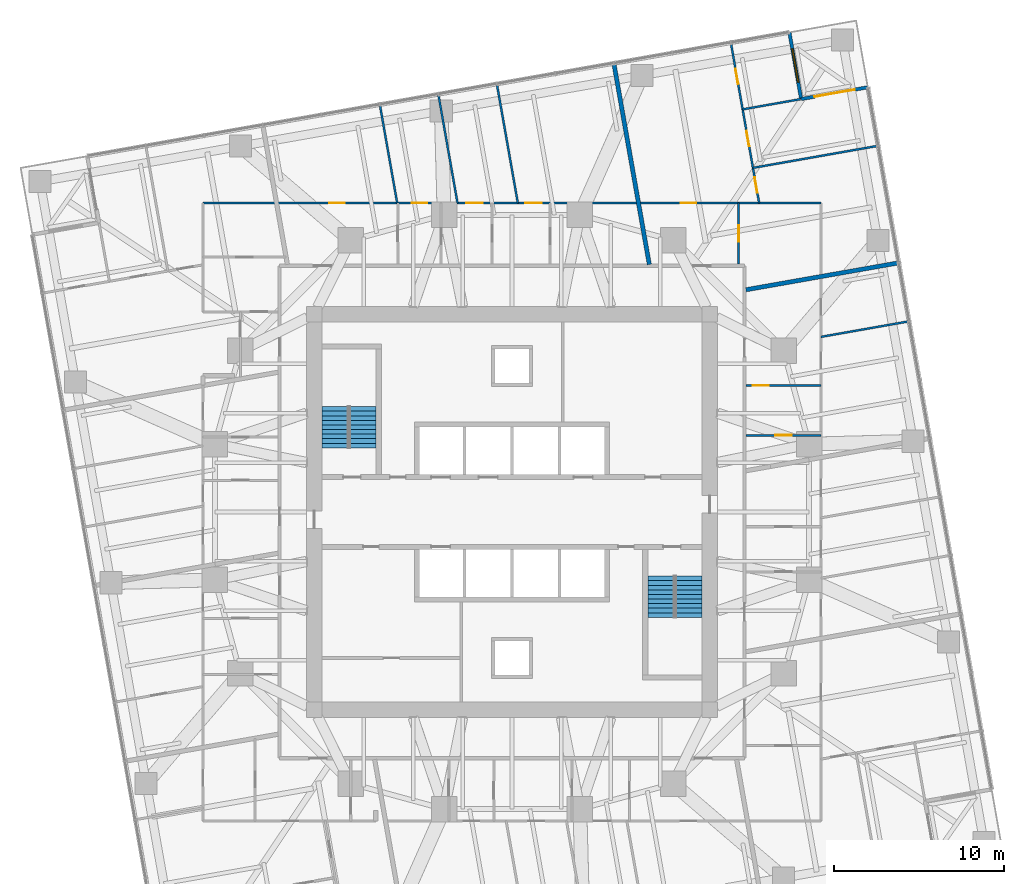
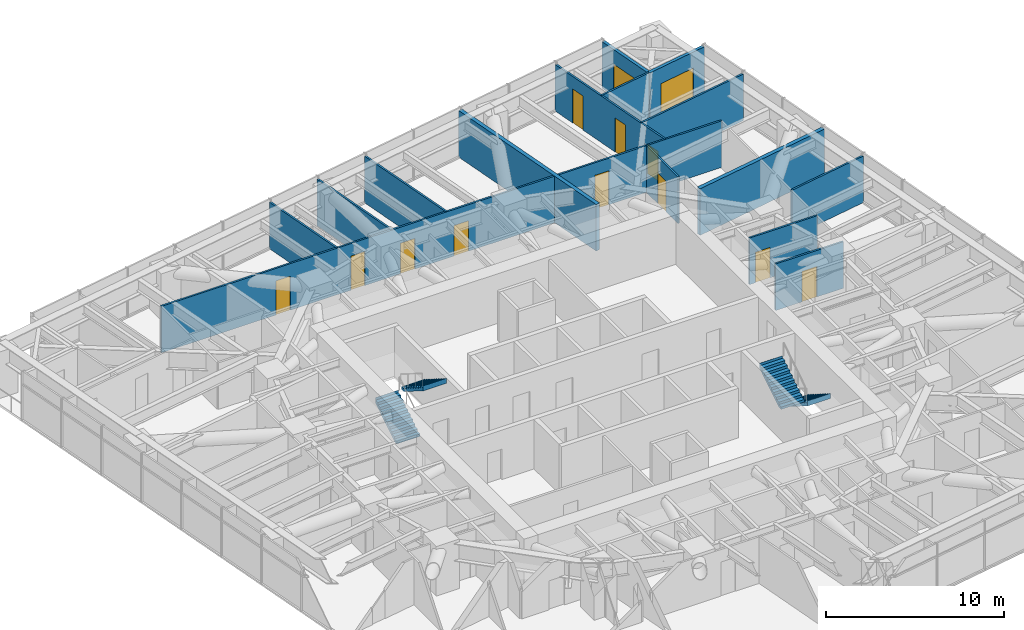
# One storey, part 15 of 17: 15 walls, 12 doors, 4 stair flights, 1 window, 13 openings, 2 elements without a shape of their own.
"""IFC4 building model written with IfcOpenShell, lengths in metres."""

from ifc_helpers import new_model, si_unit, direction, frame, frame_2d, origin, place, context, subcontext, project, spatial, polyline, rectangle, outline, extrude, material, layer, layer_set, type_object, element, fill, aggregate, save


model = new_model("IFC4")

# Units and contexts
model_context = context("Model", 3, precision=1e-05, world=origin(), true_north=direction((0.0, 1.0)))
body_context = subcontext(model_context, "Body", "Model", "MODEL_VIEW")
ifc_project = project(units=[si_unit("LENGTHUNIT", "METRE"), si_unit("AREAUNIT", "SQUARE_METRE"), si_unit("VOLUMEUNIT", "CUBIC_METRE"), si_unit("PLANEANGLEUNIT", "RADIAN"), si_unit("MASSUNIT", "GRAM", prefix="KILO")], contexts=[model_context])

# Site, building, storey
site_placement = place(None, origin())
site = spatial("IfcSite", under=ifc_project, at=site_placement, CompositionType="ELEMENT")
building_placement = place(site_placement, origin())
building = spatial("IfcBuilding", under=site, at=building_placement, Name="Torsade Residences", CompositionType="ELEMENT")
storey_placement = place(building_placement, frame((0.0, 0.0, 103.199951171875)))
storey = spatial("IfcBuildingStorey", under=building, at=storey_placement, Name="L28", CompositionType="ELEMENT", Elevation=103.199951171875)

# Wall, opening, door
ifc_material_1 = material(Name="Plasterboard on steel stud", Category="steel")
ifc_layer_1 = layer(ifc_material_1, 0.1201171875)
ifc_layer_set_1 = layer_set([ifc_layer_1], Name="Plasterboard on steel stud")
wall_type_1 = type_object("IfcWallType", Name="PARTITION 120", PredefinedType="PARTITIONING", material=ifc_layer_set_1)
wall_1_placement = place(storey_placement, frame((58.199951171875, 37.452392578125, 0.0), z_axis=(0.0, 0.0, 1.0), x_axis=(-1.0, 0.0, 0.0)))
wall_1 = element("IfcWall", 1, at=wall_1_placement, inside=storey, type_object=wall_type_1, Name="Partition L28", PredefinedType="PARTITIONING", context=body_context, shape_type="SweptSolid", body=[
    extrude(rectangle(XDim=4.39990234375, YDim=0.1201171875, at=frame_2d((2.199951171875, 0.0))), origin(), (0.0, 0.0, 1.0), 3.199951171875),
])
opening_1_placement = place(wall_1_placement, frame((3.070068359375, 0.0, 0.0)))
opening_1 = element("IfcOpeningElement", 2, at=opening_1_placement, cuts=wall_1, Name="Opening D05", PredefinedType="OPENING", context=body_context, shape_type="SweptSolid", body=[
    extrude(rectangle(XDim=0.9599609375, YDim=2.10009765625, at=frame_2d((0.47998046875, 1.050048828125))), frame((0.0, 0.070068359375, 0.0), z_axis=(0.0, -1.0, 0.0), x_axis=(1.0, 0.0, 0.0)), (0.0, 0.0, 1.0), 0.14013671875),
])
ifc_material_2 = material(Name="Hollow-core timber door in a steel cavity frame", Category="steel")
door_type_1 = type_object("IfcDoorType", Name="BATHROOM CAVITY SLIDING DOOR 960", OperationType="SLIDING_TO_LEFT", PredefinedType="DOOR", material=ifc_material_2)
door_1_placement = place(opening_1_placement, origin())
door_1 = element("IfcDoor", 3, at=door_1_placement, inside=storey, type_object=door_type_1, Name="Door Kitchen and dining to Bathroom", OperationType="SLIDING_TO_LEFT", OverallHeight=2.10009765625, OverallWidth=0.9599609375, PredefinedType="DOOR", context=body_context, shape_type="SweptSolid", body=[
    extrude(rectangle(XDim=0.9599609375, YDim=2.10009765625, at=frame_2d((0.47998046875, 1.050048828125))), frame((0.0, 0.02490234375, 0.0), z_axis=(0.0, -1.0, 0.0), x_axis=(1.0, 0.0, 0.0)), (0.0, 0.0, 1.0), 0.050048828125),
])
fill(opening_1, door_1)

wall_2_placement = place(storey_placement, frame((58.199951171875, 34.51171875, 0.0), z_axis=(0.0, 0.0, 1.0), x_axis=(-1.0, 0.0, 0.0)))
wall_2 = element("IfcWall", 4, at=wall_2_placement, inside=storey, type_object=wall_type_1, Name="Partition L28", PredefinedType="PARTITIONING", context=body_context, shape_type="SweptSolid", body=[
    extrude(rectangle(XDim=4.39990234375, YDim=0.1201171875, at=frame_2d((2.199951171875, 0.0))), origin(), (0.0, 0.0, 1.0), 3.199951171875),
])
opening_2_placement = place(wall_2_placement, frame((1.719970703125, 0.0, 0.0)))
opening_2 = element("IfcOpeningElement", 5, at=opening_2_placement, cuts=wall_2, Name="Opening D05", PredefinedType="OPENING", context=body_context, shape_type="SweptSolid", body=[
    extrude(rectangle(XDim=0.9599609375, YDim=2.10009765625, at=frame_2d((0.47998046875, 1.050048828125))), frame((0.0, 0.070068359375, 0.0), z_axis=(0.0, -1.0, 0.0), x_axis=(1.0, 0.0, 0.0)), (0.0, 0.0, 1.0), 0.14013671875),
])
door_2_placement = place(opening_2_placement, origin())
door_2 = element("IfcDoor", 6, at=door_2_placement, inside=storey, type_object=door_type_1, Name="Door Bathroom to Ensuite", OperationType="SLIDING_TO_LEFT", OverallHeight=2.10009765625, OverallWidth=0.9599609375, PredefinedType="DOOR", context=body_context, shape_type="SweptSolid", body=[
    extrude(rectangle(XDim=0.9599609375, YDim=2.10009765625, at=frame_2d((0.47998046875, 1.050048828125))), frame((0.0, 0.02490234375, 0.0), z_axis=(0.0, -1.0, 0.0), x_axis=(1.0, 0.0, 0.0)), (0.0, 0.0, 1.0), 0.050048828125),
])
fill(opening_2, door_2)

# Wall
wall_3_placement = place(storey_placement, frame((58.199951171875, 40.317138671875, 0.0), z_axis=(0.0, 0.0, 1.0), x_axis=(0.984812130229, 0.173623351409, 0.0)))
element("IfcWall", 7, at=wall_3_placement, inside=storey, type_object=wall_type_1, Name="Partition L28", PredefinedType="PARTITIONING", context=body_context, shape_type="SweptSolid", body=[
    extrude(rectangle(XDim=5.244873046875, YDim=0.1201171875, at=frame_2d((2.62255859375, 0.0))), origin(), (0.0, 0.0, 1.0), 3.199951171875),
])

# Wall, opening, door
wall_4_placement = place(storey_placement, frame((53.35498046875, 48.199951171875, 0.0), z_axis=(0.0, 0.0, 1.0), x_axis=(0.0, -1.0, 0.0)))
wall_4 = element("IfcWall", 8, at=wall_4_placement, inside=storey, type_object=wall_type_1, Name="Partition L28", PredefinedType="PARTITIONING", context=body_context, shape_type="SweptSolid", body=[
    extrude(rectangle(XDim=3.599853515625, YDim=0.1201171875, at=frame_2d((1.7998046875, 0.0))), origin(), (0.0, 0.0, 1.0), 3.199951171875),
])
opening_3_placement = place(wall_4_placement, frame((1.320068359375, 0.0, 0.0)))
opening_3 = element("IfcOpeningElement", 9, at=opening_3_placement, cuts=wall_4, Name="Opening D05", PredefinedType="OPENING", context=body_context, shape_type="SweptSolid", body=[
    extrude(rectangle(XDim=0.9599609375, YDim=2.10009765625, at=frame_2d((0.47998046875, 1.050048828125))), frame((0.0, 0.070068359375, 0.0), z_axis=(0.0, -1.0, 0.0), x_axis=(1.0, 0.0, 0.0)), (0.0, 0.0, 1.0), 0.14013671875),
])
door_3_placement = place(opening_3_placement, origin())
door_3 = element("IfcDoor", 10, at=door_3_placement, inside=storey, type_object=door_type_1, Name="Door Kitchen and dining to Bathroom", OperationType="SLIDING_TO_LEFT", OverallHeight=2.10009765625, OverallWidth=0.9599609375, PredefinedType="DOOR", context=body_context, shape_type="SweptSolid", body=[
    extrude(rectangle(XDim=0.9599609375, YDim=2.10009765625, at=frame_2d((0.47998046875, 1.050048828125))), frame((0.0, 0.02490234375, 0.0), z_axis=(0.0, -1.0, 0.0), x_axis=(1.0, 0.0, 0.0)), (0.0, 0.0, 1.0), 0.050048828125),
])
fill(opening_3, door_3)

# Wall, openings, doors
wall_5_placement = place(storey_placement, frame((21.800048828125, 48.199951171875, 0.0), z_axis=(0.0, 0.0, 1.0), x_axis=(1.0, 0.0, 0.0)))
wall_5 = element("IfcWall", 11, at=wall_5_placement, inside=storey, type_object=wall_type_1, Name="Partition L28", PredefinedType="PARTITIONING", context=body_context, shape_type="SweptSolid", body=[
    extrude(rectangle(XDim=36.39990234375, YDim=0.1201171875, at=frame_2d((18.199951171875, 0.0))), origin(), (0.0, 0.0, 1.0), 3.199951171875),
])
opening_4_placement = place(wall_5_placement, frame((7.441162109375, 0.0, 0.0)))
opening_4 = element("IfcOpeningElement", 12, at=opening_4_placement, cuts=wall_5, Name="Opening D02", PredefinedType="OPENING", context=body_context, shape_type="SweptSolid", body=[
    extrude(rectangle(XDim=0.919921875, YDim=2.340087890625, at=frame_2d((0.4599609375, 1.169921875))), frame((0.0, 0.070068359375, 0.0), z_axis=(0.0, -1.0, 0.0), x_axis=(1.0, 0.0, 0.0)), (0.0, 0.0, 1.0), 0.14013671875),
])
opening_5_placement = place(wall_5_placement, frame((28.14404296875, 0.0, 0.0)))
opening_5 = element("IfcOpeningElement", 13, at=opening_5_placement, cuts=wall_5, Name="Opening D02", PredefinedType="OPENING", context=body_context, shape_type="SweptSolid", body=[
    extrude(rectangle(XDim=0.919921875, YDim=2.340087890625, at=frame_2d((0.4599609375, 1.169921875))), frame((0.0, 0.070068359375, 0.0), z_axis=(0.0, -1.0, 0.0), x_axis=(1.0, 0.0, 0.0)), (0.0, 0.0, 1.0), 0.14013671875),
])
opening_6_placement = place(wall_5_placement, frame((12.290283203125, 0.0, 0.0)))
opening_6 = element("IfcOpeningElement", 14, at=opening_6_placement, cuts=wall_5, Name="Opening D02", PredefinedType="OPENING", context=body_context, shape_type="SweptSolid", body=[
    extrude(rectangle(XDim=0.919921875, YDim=2.340087890625, at=frame_2d((0.4599609375, 1.169921875))), frame((0.0, 0.070068359375, 0.0), z_axis=(0.0, -1.0, 0.0), x_axis=(1.0, 0.0, 0.0)), (0.0, 0.0, 1.0), 0.14013671875),
])
opening_7_placement = place(wall_5_placement, frame((15.50537109375, 0.0, 0.0)))
opening_7 = element("IfcOpeningElement", 15, at=opening_7_placement, cuts=wall_5, Name="Opening D05", PredefinedType="OPENING", context=body_context, shape_type="SweptSolid", body=[
    extrude(rectangle(XDim=0.9599609375, YDim=2.10009765625, at=frame_2d((0.47998046875, 1.050048828125))), frame((0.0, 0.070068359375, 0.0), z_axis=(0.0, -1.0, 0.0), x_axis=(1.0, 0.0, 0.0)), (0.0, 0.0, 1.0), 0.14013671875),
])
opening_8_placement = place(wall_5_placement, frame((18.990966796875, 0.0, 0.0)))
opening_8 = element("IfcOpeningElement", 16, at=opening_8_placement, cuts=wall_5, Name="Opening D05", PredefinedType="OPENING", context=body_context, shape_type="SweptSolid", body=[
    extrude(rectangle(XDim=0.9599609375, YDim=2.10009765625, at=frame_2d((0.47998046875, 1.050048828125))), frame((0.0, 0.070068359375, 0.0), z_axis=(0.0, -1.0, 0.0), x_axis=(1.0, 0.0, 0.0)), (0.0, 0.0, 1.0), 0.14013671875),
])
door_4_placement = place(opening_7_placement, origin())
door_4 = element("IfcDoor", 17, at=door_4_placement, inside=storey, type_object=door_type_1, Name="Door Laundry to Bedroom 2", OperationType="SLIDING_TO_LEFT", OverallHeight=2.10009765625, OverallWidth=0.9599609375, PredefinedType="DOOR", context=body_context, shape_type="SweptSolid", body=[
    extrude(rectangle(XDim=0.9599609375, YDim=2.10009765625, at=frame_2d((0.47998046875, 1.050048828125))), frame((0.0, 0.02490234375, 0.0), z_axis=(0.0, -1.0, 0.0), x_axis=(1.0, 0.0, 0.0)), (0.0, 0.0, 1.0), 0.050048828125),
])
fill(opening_7, door_4)
door_5_placement = place(opening_8_placement, origin())
door_5 = element("IfcDoor", 18, at=door_5_placement, inside=storey, type_object=door_type_1, Name="Door Ensuite to Living room", OperationType="SLIDING_TO_LEFT", OverallHeight=2.10009765625, OverallWidth=0.9599609375, PredefinedType="DOOR", context=body_context, shape_type="SweptSolid", body=[
    extrude(rectangle(XDim=0.9599609375, YDim=2.10009765625, at=frame_2d((0.47998046875, 1.050048828125))), frame((0.0, 0.02490234375, 0.0), z_axis=(0.0, -1.0, 0.0), x_axis=(1.0, 0.0, 0.0)), (0.0, 0.0, 1.0), 0.050048828125),
])
fill(opening_8, door_5)
ifc_material_3 = material(Name="Hollow-core timber door", Category="wood")
door_type_2 = type_object("IfcDoorType", Name="INTERNAL DOOR 920x2340", OperationType="NOTDEFINED", PredefinedType="DOOR", material=ifc_material_3)
door_6_placement = place(opening_4_placement, origin())
door_6 = element("IfcDoor", 19, at=door_6_placement, inside=storey, type_object=door_type_2, Name="Door Kitchen and dining to Bedroom 1", OperationType="SINGLE_SWING_RIGHT", OverallHeight=2.340087890625, OverallWidth=0.919921875, PredefinedType="DOOR", context=body_context, shape_type="SweptSolid", body=[
    extrude(rectangle(XDim=0.919921875, YDim=2.340087890625, at=frame_2d((0.4599609375, 1.169921875))), frame((0.0, 0.02490234375, 0.0), z_axis=(0.0, -1.0, 0.0), x_axis=(1.0, 0.0, 0.0)), (0.0, 0.0, 1.0), 0.050048828125),
])
fill(opening_4, door_6)
door_7_placement = place(opening_5_placement, origin())
door_7 = element("IfcDoor", 20, at=door_7_placement, inside=storey, type_object=door_type_2, Name="Door Kitchen and dining to Living room", OperationType="SINGLE_SWING_LEFT", OverallHeight=2.340087890625, OverallWidth=0.919921875, PredefinedType="DOOR", context=body_context, shape_type="SweptSolid", body=[
    extrude(rectangle(XDim=0.919921875, YDim=2.340087890625, at=frame_2d((0.4599609375, 1.169921875))), frame((0.0, 0.02490234375, 0.0), z_axis=(0.0, -1.0, 0.0), x_axis=(1.0, 0.0, 0.0)), (0.0, 0.0, 1.0), 0.050048828125),
])
fill(opening_5, door_7)
door_8_placement = place(opening_6_placement, origin())
door_8 = element("IfcDoor", 21, at=door_8_placement, inside=storey, type_object=door_type_2, Name="Door Study to Study 2", OperationType="SINGLE_SWING_LEFT", OverallHeight=2.340087890625, OverallWidth=0.919921875, PredefinedType="DOOR", context=body_context, shape_type="SweptSolid", body=[
    extrude(rectangle(XDim=0.919921875, YDim=2.340087890625, at=frame_2d((0.4599609375, 1.169921875))), frame((0.0, 0.02490234375, 0.0), z_axis=(0.0, -1.0, 0.0), x_axis=(1.0, 0.0, 0.0)), (0.0, 0.0, 1.0), 0.050048828125),
])
fill(opening_6, door_8)

wall_6_placement = place(storey_placement, frame((52.89990234375, 57.61962890625, 0.0), z_axis=(0.0, 0.0, 1.0), x_axis=(0.173642635155, -0.984808730291, 0.0)))
wall_6 = element("IfcWall", 22, at=wall_6_placement, inside=storey, type_object=wall_type_1, Name="Partition L28", PredefinedType="PARTITIONING", context=body_context, shape_type="SweptSolid", body=[
    extrude(rectangle(XDim=9.56494140625, YDim=0.1201171875, at=frame_2d((4.782470703125, 0.0))), origin(), (0.0, 0.0, 1.0), 3.199951171875),
])
opening_9_placement = place(wall_6_placement, frame((1.525146484375, 0.0, 0.0)))
opening_9 = element("IfcOpeningElement", 23, at=opening_9_placement, cuts=wall_6, Name="Opening D02", PredefinedType="OPENING", context=body_context, shape_type="SweptSolid", body=[
    extrude(rectangle(XDim=0.919921875, YDim=2.340087890625, at=frame_2d((0.4599609375, 1.169921875))), frame((0.0, 0.070068359375, 0.0), z_axis=(0.0, -1.0, 0.0), x_axis=(1.0, 0.0, 0.0)), (0.0, 0.0, 1.0), 0.14013671875),
])
opening_10_placement = place(wall_6_placement, frame((5.25, 0.0, 0.0)))
opening_10 = element("IfcOpeningElement", 24, at=opening_10_placement, cuts=wall_6, Name="Opening D02", PredefinedType="OPENING", context=body_context, shape_type="SweptSolid", body=[
    extrude(rectangle(XDim=0.919921875, YDim=2.340087890625, at=frame_2d((0.4599609375, 1.169921875))), frame((0.0, 0.070068359375, 0.0), z_axis=(0.0, -1.0, 0.0), x_axis=(1.0, 0.0, 0.0)), (0.0, 0.0, 1.0), 0.14013671875),
])
opening_11_placement = place(wall_6_placement, frame((8.027587890625, 0.0, 0.0)))
opening_11 = element("IfcOpeningElement", 25, at=opening_11_placement, cuts=wall_6, Name="Opening D02N", PredefinedType="OPENING", context=body_context, shape_type="SweptSolid", body=[
    extrude(rectangle(XDim=0.919921875, YDim=2.0, at=frame_2d((0.4599609375, 1.0))), frame((0.0, 0.070068359375, 0.0), z_axis=(0.0, -1.0, 0.0), x_axis=(1.0, 0.0, 0.0)), (0.0, 0.0, 1.0), 0.14013671875),
])
ifc_material_4 = material(Name="Hollow-core timber door", Category="wood")
door_type_3 = type_object("IfcDoorType", Name="INTERNAL DOOR 920x2000", OperationType="NOTDEFINED", PredefinedType="DOOR", material=ifc_material_4)
door_9_placement = place(opening_11_placement, origin())
door_9 = element("IfcDoor", 26, at=door_9_placement, inside=storey, type_object=door_type_3, Name="Door Living room to Bedroom 1", OperationType="SINGLE_SWING_LEFT", OverallHeight=2.0, OverallWidth=0.919921875, PredefinedType="DOOR", context=body_context, shape_type="SweptSolid", body=[
    extrude(rectangle(XDim=0.919921875, YDim=2.0, at=frame_2d((0.4599609375, 1.0))), frame((0.0, 0.02490234375, 0.0), z_axis=(0.0, -1.0, 0.0), x_axis=(1.0, 0.0, 0.0)), (0.0, 0.0, 1.0), 0.050048828125),
])
fill(opening_11, door_9)
door_10_placement = place(opening_9_placement, origin())
door_10 = element("IfcDoor", 27, at=door_10_placement, inside=storey, type_object=door_type_2, Name="Door Living room to Study", OperationType="SINGLE_SWING_RIGHT", OverallHeight=2.340087890625, OverallWidth=0.919921875, PredefinedType="DOOR", context=body_context, shape_type="SweptSolid", body=[
    extrude(rectangle(XDim=0.919921875, YDim=2.340087890625, at=frame_2d((0.4599609375, 1.169921875))), frame((0.0, 0.02490234375, 0.0), z_axis=(0.0, -1.0, 0.0), x_axis=(1.0, 0.0, 0.0)), (0.0, 0.0, 1.0), 0.050048828125),
])
fill(opening_9, door_10)
door_11_placement = place(opening_10_placement, origin())
door_11 = element("IfcDoor", 28, at=door_11_placement, inside=storey, type_object=door_type_2, Name="Door Living room to Bedroom 2", OperationType="SINGLE_SWING_RIGHT", OverallHeight=2.340087890625, OverallWidth=0.919921875, PredefinedType="DOOR", context=body_context, shape_type="SweptSolid", body=[
    extrude(rectangle(XDim=0.919921875, YDim=2.340087890625, at=frame_2d((0.4599609375, 1.169921875))), frame((0.0, 0.02490234375, 0.0), z_axis=(0.0, -1.0, 0.0), x_axis=(1.0, 0.0, 0.0)), (0.0, 0.0, 1.0), 0.050048828125),
])
fill(opening_10, door_11)

# Walls
wall_7_placement = place(storey_placement, frame((54.1953125, 50.27294921875, 0.0), z_axis=(0.0, 0.0, 1.0), x_axis=(0.984807929323, 0.173647177755, 0.0)))
element("IfcWall", 29, at=wall_7_placement, inside=storey, type_object=wall_type_1, Name="Partition L28", PredefinedType="PARTITIONING", context=body_context, shape_type="SweptSolid", body=[
    extrude(rectangle(XDim=7.4599609375, YDim=0.1201171875, at=frame_2d((3.72998046875, 0.0))), origin(), (0.0, 0.0, 1.0), 3.199951171875),
])
wall_8_placement = place(storey_placement, frame((53.587646484375, 53.7197265625, 0.0), z_axis=(0.0, 0.0, 1.0), x_axis=(0.984805572884, 0.173660541335, 0.0)))
element("IfcWall", 30, at=wall_8_placement, inside=storey, type_object=wall_type_1, Name="Partition L28", PredefinedType="PARTITIONING", context=body_context, shape_type="SweptSolid", body=[
    extrude(rectangle(XDim=3.459716796875, YDim=0.1201171875, at=frame_2d((1.72998046875, 0.0))), origin(), (0.0, 0.0, 1.0), 3.199951171875),
])
wall_9_placement = place(storey_placement, frame((40.3447265625, 48.199951171875, 0.0), z_axis=(0.0, 0.0, 1.0), x_axis=(-0.17363617165, 0.984809869921, 0.0)))
element("IfcWall", 31, at=wall_9_placement, inside=storey, type_object=wall_type_1, Name="Partition L28", PredefinedType="PARTITIONING", context=body_context, shape_type="SweptSolid", body=[
    extrude(rectangle(XDim=7.096435546875, YDim=0.1201171875, at=frame_2d((3.54833984375, 0.0))), origin(), (0.0, 0.0, 1.0), 3.199951171875),
])
wall_10_placement = place(storey_placement, frame((32.218994140625, 53.97314453125, 0.0), z_axis=(0.0, 0.0, 1.0), x_axis=(0.173623777139, -0.984812055172, 0.0)))
element("IfcWall", 32, at=wall_10_placement, inside=storey, type_object=wall_type_1, Name="Partition L28", PredefinedType="PARTITIONING", context=body_context, shape_type="SweptSolid", body=[
    extrude(rectangle(XDim=5.8623046875, YDim=0.1201171875, at=frame_2d((2.93115234375, 0.0))), origin(), (0.0, 0.0, 1.0), 3.199951171875),
])
wall_11_placement = place(storey_placement, frame((36.790771484375, 48.199951171875, 0.0), z_axis=(0.0, 0.0, 1.0), x_axis=(-0.173630564586, 0.984810858511, 0.0)))
element("IfcWall", 33, at=wall_11_placement, inside=storey, type_object=wall_type_1, Name="Partition L28", PredefinedType="PARTITIONING", context=body_context, shape_type="SweptSolid", body=[
    extrude(rectangle(XDim=6.479248046875, YDim=0.1201171875, at=frame_2d((3.23974609375, 0.0))), origin(), (0.0, 0.0, 1.0), 3.199951171875),
])
ifc_material_5 = material(Name="Masonry-lined stud party wall", Category="masonry")
ifc_layer_2 = layer(ifc_material_5, 0.25)
ifc_layer_set_2 = layer_set([ifc_layer_2], Name="Masonry-lined stud party wall")
wall_type_2 = type_object("IfcWallType", Name="PARTY WALL 250", PredefinedType="PARTITIONING", material=ifc_layer_set_2)
wall_12_placement = place(storey_placement, frame((62.796875, 44.681640625, 0.0), z_axis=(0.0, 0.0, 1.0), x_axis=(-0.984810933893, -0.173630137029, 0.0)))
element("IfcWall", 34, at=wall_12_placement, inside=storey, type_object=wall_type_2, Name="Party wall L28", PredefinedType="PARTITIONING", context=body_context, shape_type="SweptSolid", body=[
    extrude(rectangle(XDim=9.153564453125, YDim=0.25, at=frame_2d((4.57666015625, 0.0))), origin(), (0.0, 0.0, 1.0), 3.199951171875),
])
wall_13_placement = place(storey_placement, frame((45.999267578125, 56.443603515625, 0.0), z_axis=(0.0, 0.0, 1.0), x_axis=(0.173654664517, -0.984806609184, 0.0)))
element("IfcWall", 35, at=wall_13_placement, inside=storey, type_object=wall_type_2, Name="Party wall L28", PredefinedType="PARTITIONING", context=body_context, shape_type="SweptSolid", body=[
    extrude(rectangle(XDim=12.04443359375, YDim=0.25, at=frame_2d((6.022216796875, 0.0))), origin(), (0.0, 0.0, 1.0), 3.199951171875),
])

# Wall, opening, door
ifc_material_6 = material(Name="Stone-faced precast concrete 40 MPa panel", Category="masonry")
ifc_layer_3 = layer(ifc_material_6, 0.199951171875)
ifc_layer_set_3 = layer_set([ifc_layer_3], Name="Stone-faced precast concrete 40 MPa panel")
wall_type_3 = type_object("IfcWallType", Name="TERRACE WALL 200", PredefinedType="SOLIDWALL", material=ifc_layer_set_3)
wall_14_placement = place(storey_placement, frame((60.9736328125, 55.022216796875, 0.0), z_axis=(0.0, 0.0, 1.0), x_axis=(-0.984808127031, -0.173646056486, 0.0)))
wall_14 = element("IfcWall", 36, at=wall_14_placement, inside=storey, type_object=wall_type_3, Name="Terrace wall L28 5", PredefinedType="SOLIDWALL", context=body_context, shape_type="SweptSolid", body=[
    extrude(rectangle(XDim=4.0, YDim=0.199951171875, at=frame_2d((2.0, 0.0))), origin(), (0.0, 0.0, 1.0), 3.199951171875),
])
opening_12_placement = place(wall_14_placement, frame((0.800048828125, 0.0, 0.0)))
opening_12 = element("IfcOpeningElement", 37, at=opening_12_placement, cuts=wall_14, Name="Opening D10A", PredefinedType="OPENING", context=body_context, shape_type="SweptSolid", body=[
    extrude(rectangle(XDim=2.39990234375, YDim=2.10009765625, at=frame_2d((1.199951171875, 1.050048828125))), frame((0.0, 0.10986328125, 0.0), z_axis=(0.0, -1.0, 0.0), x_axis=(1.0, 0.0, 0.0)), (0.0, 0.0, 1.0), 0.219970703125),
])
ifc_material_7 = material(Name="Aluminium-framed glass door", Category="aluminium")
door_type_4 = type_object("IfcDoorType", Name="TERRACE SLIDING DOOR 2400x2100", OperationType="SLIDING_TO_LEFT", PredefinedType="DOOR", material=ifc_material_7)
door_12_placement = place(opening_12_placement, origin())
door_12 = element("IfcDoor", 38, at=door_12_placement, inside=storey, type_object=door_type_4, Name="Terrace door L28 5", OperationType="SLIDING_TO_LEFT", OverallHeight=2.10009765625, OverallWidth=2.39990234375, PredefinedType="DOOR", context=body_context, shape_type="SweptSolid", body=[
    extrude(rectangle(XDim=2.39990234375, YDim=2.10009765625, at=frame_2d((1.199951171875, 1.050048828125))), frame((0.0, 0.02490234375, 0.0), z_axis=(0.0, -1.0, 0.0), x_axis=(1.0, 0.0, 0.0)), (0.0, 0.0, 1.0), 0.050048828125),
])
fill(opening_12, door_12)

# Wall, opening, window
wall_15_placement = place(storey_placement, frame((57.034423828125, 54.32763671875, 0.0), z_axis=(0.0, 0.0, 1.0), x_axis=(-0.173646056486, 0.984808127031, 0.0)))
wall_15 = element("IfcWall", 39, at=wall_15_placement, inside=storey, type_object=wall_type_3, Name="Terrace wall L28 6", PredefinedType="SOLIDWALL", context=body_context, shape_type="SweptSolid", body=[
    extrude(rectangle(XDim=4.0, YDim=0.199951171875, at=frame_2d((2.0, 0.0))), origin(), (0.0, 0.0, 1.0), 3.199951171875),
])
opening_13_placement = place(wall_15_placement, frame((1.0, 0.0, 0.39990234375)))
opening_13 = element("IfcOpeningElement", 40, at=opening_13_placement, cuts=wall_15, Name="Opening W1B", PredefinedType="OPENING", context=body_context, shape_type="SweptSolid", body=[
    extrude(rectangle(XDim=2.0, YDim=1.800048828125, at=frame_2d((1.0, 0.89990234375))), frame((0.0, 0.10986328125, 0.0), z_axis=(0.0, -1.0, 0.0), x_axis=(1.0, 0.0, 0.0)), (0.0, 0.0, 1.0), 0.219970703125),
])
ifc_material_8 = material(Name="Aluminium-framed glass window", Category="aluminium")
window_type = type_object("IfcWindowType", Name="TERRACE WINDOW 2000x1800", PartitioningType="SINGLE_PANEL", PredefinedType="WINDOW", material=ifc_material_8)
window_placement = place(opening_13_placement, origin())
window = element("IfcWindow", 41, at=window_placement, inside=storey, type_object=window_type, Name="Terrace window L28 6", OverallHeight=1.800048828125, OverallWidth=2.0, PartitioningType="SINGLE_PANEL", PredefinedType="WINDOW", context=body_context, shape_type="SweptSolid", body=[
    extrude(rectangle(XDim=2.0, YDim=1.800048828125, at=frame_2d((1.0, 0.89990234375))), frame((0.0, 0.030029296875, 0.0), z_axis=(0.0, -1.0, 0.0), x_axis=(1.0, 0.0, 0.0)), (0.0, 0.0, 1.0), 0.06005859375),
])
fill(opening_13, window)

# Stair, stair flights
ifc_material_9 = material(Name="Precast concrete 40 MPa", Category="concrete")
stair_type = type_object("IfcStairType", Name="HALF-TURN FIRE STAIR 1500x3400", PredefinedType="HALF_TURN_STAIR", material=ifc_material_9)
stair_1_placement = place(storey_placement, origin())
stair_1 = element("IfcStair", 42, at=stair_1_placement, inside=storey, type_object=stair_type, Name="Stair ST1 L28", PredefinedType="HALF_TURN_STAIR")
ifc_material_10 = material(Name="Precast concrete 40 MPa", Category="concrete")
stair_flight_type = type_object("IfcStairFlightType", Name="PRECAST STAIR FLIGHT 1500x1700", PredefinedType="STRAIGHT", material=ifc_material_10)
stair_flight_1_placement = place(storey_placement, frame((29.550048828125, 33.780029296875, 0.0), z_axis=(0.0, 0.0, 1.0), x_axis=(0.0, 1.0, 0.0)))
stair_flight_1 = element("IfcStairFlight", 43, at=stair_flight_1_placement, type_object=stair_flight_type, Name="ST1 flight 1", NumberOfRisers=10, NumberOfTreads=9, PredefinedType="STRAIGHT", RiserHeight=0.17, TreadLength=0.27, context=body_context, shape_type="SweptSolid", body=[
    extrude(outline(polyline([(0.0, 0.0), (0.0, 0.169921875), (0.27001953125, 0.169921875), (0.27001953125, 0.340087890625), (0.5400390625, 0.340087890625), (0.5400390625, 0.510009765625), (0.81005859375, 0.510009765625), (0.81005859375, 0.679931640625), (1.080078125, 0.679931640625), (1.080078125, 0.85009765625), (1.35009765625, 0.85009765625), (1.35009765625, 1.02001953125), (1.6201171875, 1.02001953125), (1.6201171875, 1.18994140625), (1.889892578125, 1.18994140625), (1.889892578125, 1.360107421875), (2.159912109375, 1.360107421875), (2.159912109375, 1.530029296875), (2.429931640625, 1.530029296875), (2.429931640625, 1.699951171875), (2.43994140625, 1.699951171875), (2.43994140625, 1.352783203125), (2.429931640625, 1.352783203125), (0.28125, 0.0), (0.0, 0.0)])), frame((0.0, 0.75, 0.0), z_axis=(0.0, -1.0, 0.0), x_axis=(1.0, 0.0, 0.0)), (0.0, 0.0, 1.0), 1.5),
])
stair_flight_2_placement = place(storey_placement, frame((31.25, 36.2099609375, 1.699951171875), z_axis=(0.0, 0.0, 1.0), x_axis=(0.0, -1.0, 0.0)))
stair_flight_2 = element("IfcStairFlight", 44, at=stair_flight_2_placement, type_object=stair_flight_type, Name="ST1 flight 2", NumberOfRisers=10, NumberOfTreads=9, PredefinedType="STRAIGHT", RiserHeight=0.17, TreadLength=0.27, context=body_context, shape_type="SweptSolid", body=[
    extrude(outline(polyline([(0.0, 0.0), (0.0, 0.169921875), (0.27001953125, 0.169921875), (0.27001953125, 0.340087890625), (0.5400390625, 0.340087890625), (0.5400390625, 0.510009765625), (0.81005859375, 0.510009765625), (0.81005859375, 0.679931640625), (1.080078125, 0.679931640625), (1.080078125, 0.85009765625), (1.35009765625, 0.85009765625), (1.35009765625, 1.02001953125), (1.6201171875, 1.02001953125), (1.6201171875, 1.18994140625), (1.889892578125, 1.18994140625), (1.889892578125, 1.360107421875), (2.159912109375, 1.360107421875), (2.159912109375, 1.530029296875), (2.429931640625, 1.530029296875), (2.429931640625, 1.699951171875), (2.43994140625, 1.699951171875), (2.43994140625, 1.352783203125), (2.429931640625, 1.352783203125), (0.28125, 0.0), (0.0, 0.0)])), frame((0.0, 0.75, 0.0), z_axis=(0.0, -1.0, 0.0), x_axis=(1.0, 0.0, 0.0)), (0.0, 0.0, 1.0), 1.5),
])
aggregate(stair_1, [stair_flight_1, stair_flight_2])

stair_2_placement = place(storey_placement, origin())
stair_2 = element("IfcStair", 45, at=stair_2_placement, inside=storey, type_object=stair_type, Name="Stair ST2 L28", PredefinedType="HALF_TURN_STAIR")
stair_flight_3_placement = place(storey_placement, frame((50.449951171875, 26.219970703125, 0.0), z_axis=(0.0, 0.0, 1.0), x_axis=(0.0, -1.0, 0.0)))
stair_flight_3 = element("IfcStairFlight", 46, at=stair_flight_3_placement, type_object=stair_flight_type, Name="ST2 flight 1", NumberOfRisers=10, NumberOfTreads=9, PredefinedType="STRAIGHT", RiserHeight=0.17, TreadLength=0.27, context=body_context, shape_type="SweptSolid", body=[
    extrude(outline(polyline([(0.0, 0.0), (0.0, 0.169921875), (0.27001953125, 0.169921875), (0.27001953125, 0.340087890625), (0.5400390625, 0.340087890625), (0.5400390625, 0.510009765625), (0.81005859375, 0.510009765625), (0.81005859375, 0.679931640625), (1.080078125, 0.679931640625), (1.080078125, 0.85009765625), (1.35009765625, 0.85009765625), (1.35009765625, 1.02001953125), (1.6201171875, 1.02001953125), (1.6201171875, 1.18994140625), (1.889892578125, 1.18994140625), (1.889892578125, 1.360107421875), (2.159912109375, 1.360107421875), (2.159912109375, 1.530029296875), (2.429931640625, 1.530029296875), (2.429931640625, 1.699951171875), (2.43994140625, 1.699951171875), (2.43994140625, 1.352783203125), (2.429931640625, 1.352783203125), (0.28125, 0.0), (0.0, 0.0)])), frame((0.0, 0.75, 0.0), z_axis=(0.0, -1.0, 0.0), x_axis=(1.0, 0.0, 0.0)), (0.0, 0.0, 1.0), 1.5),
])
stair_flight_4_placement = place(storey_placement, frame((48.75, 23.7900390625, 1.699951171875), z_axis=(0.0, 0.0, 1.0), x_axis=(0.0, 1.0, 0.0)))
stair_flight_4 = element("IfcStairFlight", 47, at=stair_flight_4_placement, type_object=stair_flight_type, Name="ST2 flight 2", NumberOfRisers=10, NumberOfTreads=9, PredefinedType="STRAIGHT", RiserHeight=0.17, TreadLength=0.27, context=body_context, shape_type="SweptSolid", body=[
    extrude(outline(polyline([(0.0, 0.0), (0.0, 0.169921875), (0.27001953125, 0.169921875), (0.27001953125, 0.340087890625), (0.5400390625, 0.340087890625), (0.5400390625, 0.510009765625), (0.81005859375, 0.510009765625), (0.81005859375, 0.679931640625), (1.080078125, 0.679931640625), (1.080078125, 0.85009765625), (1.35009765625, 0.85009765625), (1.35009765625, 1.02001953125), (1.6201171875, 1.02001953125), (1.6201171875, 1.18994140625), (1.889892578125, 1.18994140625), (1.889892578125, 1.360107421875), (2.159912109375, 1.360107421875), (2.159912109375, 1.530029296875), (2.429931640625, 1.530029296875), (2.429931640625, 1.699951171875), (2.43994140625, 1.699951171875), (2.43994140625, 1.352783203125), (2.429931640625, 1.352783203125), (0.28125, 0.0), (0.0, 0.0)])), frame((0.0, 0.75, 0.0), z_axis=(0.0, -1.0, 0.0), x_axis=(1.0, 0.0, 0.0)), (0.0, 0.0, 1.0), 1.5),
])
aggregate(stair_2, [stair_flight_3, stair_flight_4])

save(model, "model.ifc")
